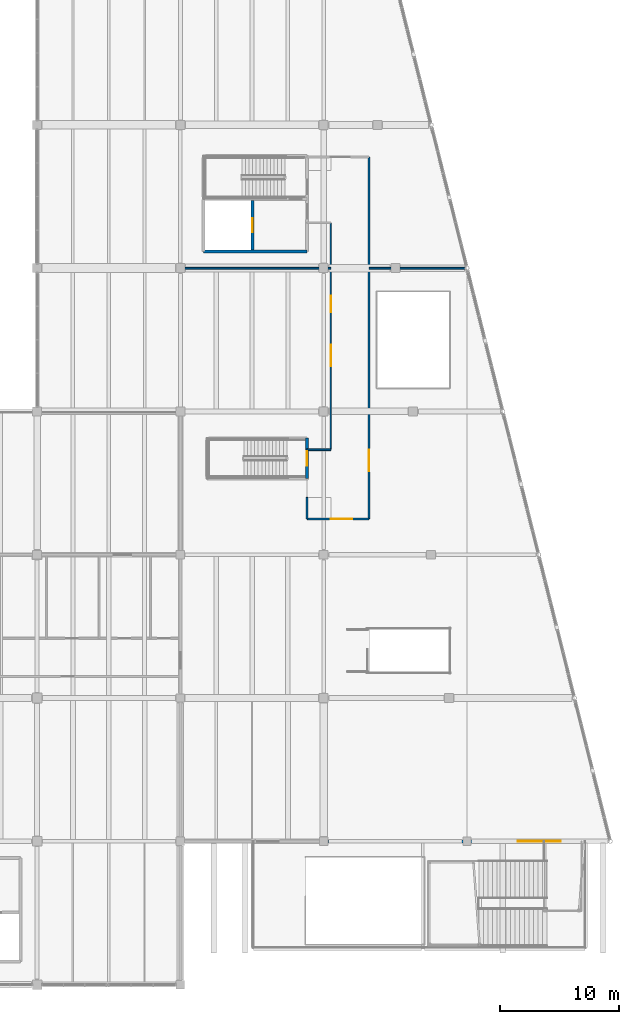
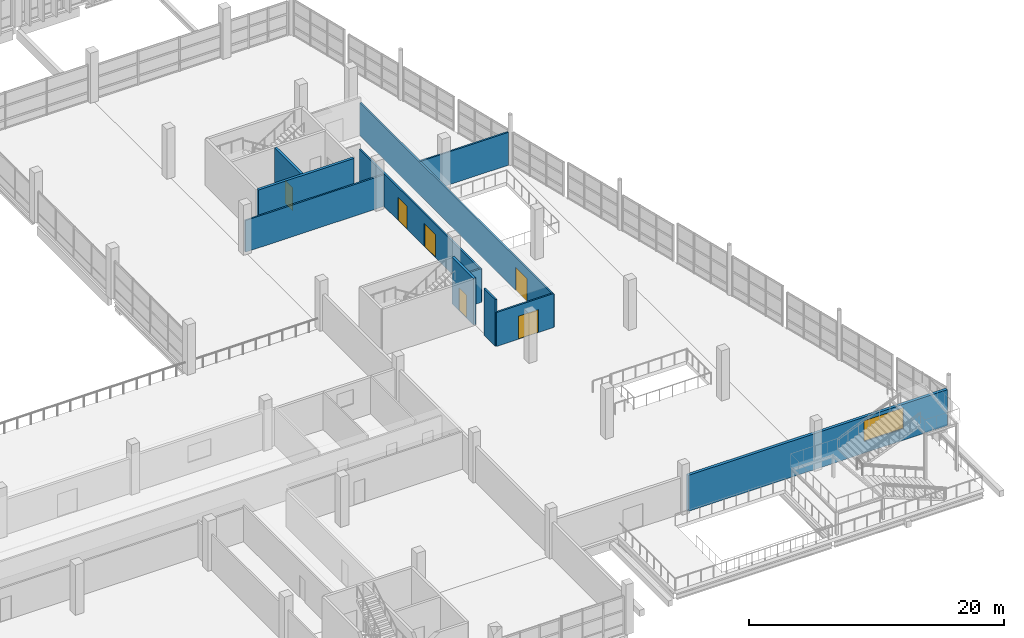
# One storey, part 85 of 112: 11 walls, 6 doors, 1 window, 7 openings.
"""IFC4 building model written with IfcOpenShell, lengths in metres."""

from ifc_helpers import new_model, si_unit, direction, frame, frame_2d, origin, place, context, subcontext, project, spatial, rectangle, extrude, material, layer, layer_set, type_object, element, fill, save


model = new_model("IFC4")

# Units and contexts
model_context = context("Model", 3, precision=1e-05, world=origin(), true_north=direction((0.0, 1.0)))
body_context = subcontext(model_context, "Body", "Model", "MODEL_VIEW")
ifc_project = project(units=[si_unit("LENGTHUNIT", "METRE"), si_unit("AREAUNIT", "SQUARE_METRE"), si_unit("VOLUMEUNIT", "CUBIC_METRE"), si_unit("PLANEANGLEUNIT", "RADIAN"), si_unit("MASSUNIT", "GRAM", prefix="KILO")], contexts=[model_context])

# Site, building, storey
site_placement = place(None, origin())
site = spatial("IfcSite", under=ifc_project, at=site_placement, CompositionType="ELEMENT")
building_placement = place(site_placement, origin())
building = spatial("IfcBuilding", under=site, at=building_placement, Name="Kamomehara Wholesale Market", CompositionType="ELEMENT")
storey_placement = place(building_placement, frame((0.0, 0.0, 6.60009765625)))
storey = spatial("IfcBuildingStorey", under=building, at=storey_placement, Name="L01", CompositionType="ELEMENT", Elevation=6.60009765625)

# Wall, opening, window
ifc_material_1 = material(Name="Precast concrete Fc45 (C40/50)", Category="concrete")
ifc_layer_1 = layer(ifc_material_1, 0.260009765625)
ifc_layer_set_1 = layer_set([ifc_layer_1], Name="Precast concrete Fc45 (C40/50)")
wall_type_1 = type_object("IfcWallType", Name="EW-PC-260", PredefinedType="SOLIDWALL", material=ifc_layer_set_1)
wall_1_placement = place(storey_placement, frame((203.822021484375, 24.0, 0.0), z_axis=(0.0, 0.0, 1.0), x_axis=(-1.0, 0.0, 0.0)))
wall_1 = element("IfcWall", 1, at=wall_1_placement, inside=storey, type_object=wall_type_1, Name="Exterior wall EW-PC-260 131", PredefinedType="SOLIDWALL", context=body_context, shape_type="SweptSolid", body=[
    extrude(rectangle(XDim=23.471923828125, YDim=0.260009765625, at=frame_2d((11.73583984375, 0.0))), origin(), (0.0, 0.0, 1.0), 3.44287109375),
])
opening_1_placement = place(wall_1_placement, frame((3.971923828125, 0.0, 1.10009765625)))
opening_1 = element("IfcOpeningElement", 2, at=opening_1_placement, cuts=wall_1, Name="Opening WN-L01-041", PredefinedType="OPENING", context=body_context, shape_type="SweptSolid", body=[
    extrude(rectangle(XDim=3.60009765625, YDim=2.0, at=frame_2d((1.800048828125, 1.0))), frame((0.0, 0.14501953125, 0.0), z_axis=(0.0, -1.0, 0.0), x_axis=(1.0, 0.0, 0.0)), (0.0, 0.0, 1.0), 0.289794921875),
])
ifc_material_2 = material(Name="Solar-control Low-E double glazing", Category="glass")
window_type = type_object("IfcWindowType", Name="WIN-3600x2000", PartitioningType="SINGLE_PANEL", PredefinedType="WINDOW", material=ifc_material_2)
window_placement = place(opening_1_placement, origin())
window = element("IfcWindow", 3, at=window_placement, inside=storey, type_object=window_type, Name="Exterior window WN-L01-041", OverallHeight=2.0, OverallWidth=3.60009765625, PartitioningType="SINGLE_PANEL", PredefinedType="WINDOW", context=body_context, shape_type="SweptSolid", body=[
    extrude(rectangle(XDim=3.60009765625, YDim=2.0, at=frame_2d((1.800048828125, 1.0))), frame((0.0, 0.030029296875, 0.0), z_axis=(0.0, -1.0, 0.0), x_axis=(1.0, 0.0, 0.0)), (0.0, 0.0, 1.0), 0.06005859375),
])
fill(opening_1, window)

# Wall, opening, door
ifc_material_3 = material(Name="Gypsum board partition")
ifc_layer_2 = layer(ifc_material_3, 0.14990234375)
ifc_layer_set_2 = layer_set([ifc_layer_2], Name="Gypsum board partition")
wall_type_2 = type_object("IfcWallType", Name="IW-PRT-150", PredefinedType="PARTITIONING", material=ifc_layer_set_2)
wall_2_placement = place(storey_placement, frame((178.60009765625, 51.0, 0.0), z_axis=(0.0, 0.0, 1.0), x_axis=(1.0, 0.0, 0.0)))
wall_2 = element("IfcWall", 4, at=wall_2_placement, inside=storey, type_object=wall_type_2, Name="Interior wall IW-PRT-150 334", PredefinedType="PARTITIONING", context=body_context, shape_type="SweptSolid", body=[
    extrude(rectangle(XDim=5.199951171875, YDim=0.14990234375, at=frame_2d((2.60009765625, 0.0))), origin(), (0.0, 0.0, 1.0), 3.2529296875),
])
opening_2_placement = place(wall_2_placement, frame((2.0, 0.0, 0.0)))
opening_2 = element("IfcOpeningElement", 5, at=opening_2_placement, cuts=wall_2, Name="Opening ID-L01-210", PredefinedType="OPENING", context=body_context, shape_type="SweptSolid", body=[
    extrude(rectangle(XDim=1.800048828125, YDim=2.199951171875, at=frame_2d((0.89990234375, 1.10009765625))), frame((0.0, 0.08984375, 0.0), z_axis=(0.0, -1.0, 0.0), x_axis=(1.0, 0.0, 0.0)), (0.0, 0.0, 1.0), 0.1796875),
])
ifc_material_4 = material(Name="Steel SN400B", Category="steel")
door_type_1 = type_object("IfcDoorType", Name="IDR-FD-1800x2200", OperationType="NOTDEFINED", PredefinedType="DOOR", material=ifc_material_4)
door_1_placement = place(opening_2_placement, origin())
door_1 = element("IfcDoor", 6, at=door_1_placement, inside=storey, type_object=door_type_1, Name="Interior door ID-L01-210", OperationType="SINGLE_SWING_RIGHT", OverallHeight=2.199951171875, OverallWidth=1.800048828125, PredefinedType="DOOR", context=body_context, shape_type="SweptSolid", body=[
    extrude(rectangle(XDim=1.800048828125, YDim=2.199951171875, at=frame_2d((0.89990234375, 1.10009765625))), frame((0.0, 0.02490234375, 0.0), z_axis=(0.0, -1.0, 0.0), x_axis=(1.0, 0.0, 0.0)), (0.0, 0.0, 1.0), 0.050048828125),
])
fill(opening_2, door_1)

# Walls
wall_3_placement = place(storey_placement, frame((178.60009765625, 51.0, 0.0), z_axis=(0.0, 0.0, 1.0), x_axis=(0.0, 1.0, 0.0)))
element("IfcWall", 7, at=wall_3_placement, inside=storey, type_object=wall_type_2, Name="Interior wall IW-PRT-150 335", PredefinedType="PARTITIONING", context=body_context, shape_type="SweptSolid", body=[
    extrude(rectangle(XDim=1.800048828125, YDim=0.14990234375, at=frame_2d((0.89990234375, 0.0))), origin(), (0.0, 0.0, 1.0), 4.4599609375),
])
wall_4_placement = place(storey_placement, frame((178.60009765625, 56.800048828125, 0.0), z_axis=(0.0, 0.0, 1.0), x_axis=(1.0, 0.0, 0.0)))
element("IfcWall", 8, at=wall_4_placement, inside=storey, type_object=wall_type_2, Name="Interior wall IW-PRT-150 336", PredefinedType="PARTITIONING", context=body_context, shape_type="SweptSolid", body=[
    extrude(rectangle(XDim=2.0, YDim=0.14990234375, at=frame_2d((1.0, 0.0))), origin(), (0.0, 0.0, 1.0), 3.2529296875),
])

# Wall, openings, doors
wall_5_placement = place(storey_placement, frame((180.60009765625, 56.800048828125, 0.0), z_axis=(0.0, 0.0, 1.0), x_axis=(0.0, 1.0, 0.0)))
wall_5 = element("IfcWall", 9, at=wall_5_placement, inside=storey, type_object=wall_type_2, Name="Interior wall IW-PRT-150 337", PredefinedType="PARTITIONING", context=body_context, shape_type="SweptSolid", body=[
    extrude(rectangle(XDim=19.0, YDim=0.14990234375, at=frame_2d((9.5, 0.0))), origin(), (0.0, 0.0, 1.0), 3.15283203125),
])
opening_3_placement = place(wall_5_placement, frame((7.0, 0.0, 0.0)))
opening_3 = element("IfcOpeningElement", 10, at=opening_3_placement, cuts=wall_5, Name="Opening ID-L01-211", PredefinedType="OPENING", context=body_context, shape_type="SweptSolid", body=[
    extrude(rectangle(XDim=1.800048828125, YDim=2.199951171875, at=frame_2d((0.89990234375, 1.10009765625))), frame((0.0, 0.08984375, 0.0), z_axis=(0.0, -1.0, 0.0), x_axis=(1.0, 0.0, 0.0)), (0.0, 0.0, 1.0), 0.1796875),
])
opening_4_placement = place(wall_5_placement, frame((11.5, 0.0, 0.0)))
opening_4 = element("IfcOpeningElement", 11, at=opening_4_placement, cuts=wall_5, Name="Opening ID-L01-212", PredefinedType="OPENING", context=body_context, shape_type="SweptSolid", body=[
    extrude(rectangle(XDim=1.39990234375, YDim=2.199951171875, at=frame_2d((0.699951171875, 1.10009765625))), frame((0.0, 0.08984375, 0.0), z_axis=(0.0, -1.0, 0.0), x_axis=(1.0, 0.0, 0.0)), (0.0, 0.0, 1.0), 0.1796875),
])
ifc_material_5 = material(Name="Steel SN400B", Category="steel")
door_type_2 = type_object("IfcDoorType", Name="IDR-FD-1400x2200", OperationType="NOTDEFINED", PredefinedType="DOOR", material=ifc_material_5)
door_2_placement = place(opening_4_placement, origin())
door_2 = element("IfcDoor", 12, at=door_2_placement, inside=storey, type_object=door_type_2, Name="Interior door ID-L01-212", OperationType="SINGLE_SWING_RIGHT", OverallHeight=2.199951171875, OverallWidth=1.39990234375, PredefinedType="DOOR", context=body_context, shape_type="SweptSolid", body=[
    extrude(rectangle(XDim=1.39990234375, YDim=2.199951171875, at=frame_2d((0.699951171875, 1.10009765625))), frame((0.0, 0.02490234375, 0.0), z_axis=(0.0, -1.0, 0.0), x_axis=(1.0, 0.0, 0.0)), (0.0, 0.0, 1.0), 0.050048828125),
])
fill(opening_4, door_2)
door_3_placement = place(opening_3_placement, origin())
door_3 = element("IfcDoor", 13, at=door_3_placement, inside=storey, type_object=door_type_1, Name="Interior door ID-L01-211", OperationType="SINGLE_SWING_LEFT", OverallHeight=2.199951171875, OverallWidth=1.800048828125, PredefinedType="DOOR", context=body_context, shape_type="SweptSolid", body=[
    extrude(rectangle(XDim=1.800048828125, YDim=2.199951171875, at=frame_2d((0.89990234375, 1.10009765625))), frame((0.0, 0.02490234375, 0.0), z_axis=(0.0, -1.0, 0.0), x_axis=(1.0, 0.0, 0.0)), (0.0, 0.0, 1.0), 0.050048828125),
])
fill(opening_3, door_3)

# Wall, opening, door
wall_6_placement = place(storey_placement, frame((183.800048828125, 51.0, 0.0), z_axis=(0.0, 0.0, 1.0), x_axis=(0.0, 1.0, 0.0)))
wall_6 = element("IfcWall", 14, at=wall_6_placement, inside=storey, type_object=wall_type_2, Name="Interior wall IW-PRT-150 340", PredefinedType="PARTITIONING", context=body_context, shape_type="SweptSolid", body=[
    extrude(rectangle(XDim=30.300048828125, YDim=0.14990234375, at=frame_2d((15.14990234375, 0.0))), origin(), (0.0, 0.0, 1.0), 3.15283203125),
])
opening_5_placement = place(wall_6_placement, frame((4.0, 0.0, 0.0)))
opening_5 = element("IfcOpeningElement", 15, at=opening_5_placement, cuts=wall_6, Name="Opening ID-L01-214", PredefinedType="OPENING", context=body_context, shape_type="SweptSolid", body=[
    extrude(rectangle(XDim=1.800048828125, YDim=2.199951171875, at=frame_2d((0.89990234375, 1.10009765625))), frame((0.0, 0.08984375, 0.0), z_axis=(0.0, -1.0, 0.0), x_axis=(1.0, 0.0, 0.0)), (0.0, 0.0, 1.0), 0.1796875),
])
door_4_placement = place(opening_5_placement, origin())
door_4 = element("IfcDoor", 16, at=door_4_placement, inside=storey, type_object=door_type_1, Name="Interior door ID-L01-214", OperationType="SINGLE_SWING_RIGHT", OverallHeight=2.199951171875, OverallWidth=1.800048828125, PredefinedType="DOOR", context=body_context, shape_type="SweptSolid", body=[
    extrude(rectangle(XDim=1.800048828125, YDim=2.199951171875, at=frame_2d((0.89990234375, 1.10009765625))), frame((0.0, 0.02490234375, 0.0), z_axis=(0.0, -1.0, 0.0), x_axis=(1.0, 0.0, 0.0)), (0.0, 0.0, 1.0), 0.050048828125),
])
fill(opening_5, door_4)

# Walls
wall_7_placement = place(storey_placement, frame((168.0, 72.0, 0.0), z_axis=(0.0, 0.0, 1.0), x_axis=(1.0, 0.0, 0.0)))
element("IfcWall", 17, at=wall_7_placement, inside=storey, type_object=wall_type_2, Name="Interior wall IW-PRT-150 341", PredefinedType="PARTITIONING", context=body_context, shape_type="SweptSolid", body=[
    extrude(rectangle(XDim=12.60009765625, YDim=0.14990234375, at=frame_2d((6.300048828125, 0.0))), origin(), (0.0, 0.0, 1.0), 3.032958984375),
])
wall_8_placement = place(storey_placement, frame((183.800048828125, 72.0, 0.0), z_axis=(0.0, 0.0, 1.0), x_axis=(1.0, 0.0, 0.0)))
element("IfcWall", 18, at=wall_8_placement, inside=storey, type_object=wall_type_2, Name="Interior wall IW-PRT-150 342", PredefinedType="PARTITIONING", context=body_context, shape_type="SweptSolid", body=[
    extrude(rectangle(XDim=8.02001953125, YDim=0.14990234375, at=frame_2d((4.010009765625, 0.0))), origin(), (0.0, 0.0, 1.0), 3.15283203125),
])

# Wall, opening, door
ifc_material_6 = material(Name="Concrete Fc36 (C35/45)", Category="concrete")
ifc_layer_3 = layer(ifc_material_6, 0.219970703125)
ifc_layer_set_3 = layer_set([ifc_layer_3], Name="Concrete Fc36 (C35/45)")
wall_type_3 = type_object("IfcWallType", Name="IW-SHR-220", PredefinedType="SHEAR", material=ifc_layer_set_3)
wall_9_placement = place(storey_placement, frame((174.0400390625, 73.52001953125, 0.0), z_axis=(0.0, 0.0, 1.0), x_axis=(0.0, 1.0, 0.0)))
wall_9 = element("IfcWall", 19, at=wall_9_placement, inside=storey, type_object=wall_type_3, Name="Interior wall IW-SHR-220 144", PredefinedType="SHEAR", context=body_context, shape_type="SweptSolid", body=[
    extrude(rectangle(XDim=4.139892578125, YDim=0.219970703125, at=frame_2d((2.06982421875, 0.0))), origin(), (0.0, 0.0, 1.0), 4.449951171875),
])
opening_6_placement = place(wall_9_placement, frame((1.469970703125, 0.0, 0.0)))
opening_6 = element("IfcOpeningElement", 20, at=opening_6_placement, cuts=wall_9, Name="Opening LD-LP-05-L01", PredefinedType="OPENING", context=body_context, shape_type="SweptSolid", body=[
    extrude(rectangle(XDim=1.199951171875, YDim=2.199951171875, at=frame_2d((0.60009765625, 1.10009765625))), frame((0.0, 0.125, 0.0), z_axis=(0.0, -1.0, 0.0), x_axis=(1.0, 0.0, 0.0)), (0.0, 0.0, 1.0), 0.249755859375),
])
ifc_material_7 = material(Name="Steel SN400B", Category="steel")
door_type_3 = type_object("IfcDoorType", Name="LDR-PAX-1200x2200", OperationType="DOUBLE_DOOR_SLIDING", PredefinedType="DOOR", material=ifc_material_7)
door_5_placement = place(opening_6_placement, origin())
door_5 = element("IfcDoor", 21, at=door_5_placement, inside=storey, type_object=door_type_3, Name="Lift sliding landing door LD-LP-05-L01", OperationType="DOUBLE_DOOR_SLIDING", OverallHeight=2.199951171875, OverallWidth=1.199951171875, PredefinedType="DOOR", context=body_context, shape_type="SweptSolid", body=[
    extrude(rectangle(XDim=1.199951171875, YDim=2.199951171875, at=frame_2d((0.60009765625, 1.10009765625))), frame((0.0, 0.02490234375, 0.0), z_axis=(0.0, -1.0, 0.0), x_axis=(1.0, 0.0, 0.0)), (0.0, 0.0, 1.0), 0.050048828125),
])
fill(opening_6, door_5)

wall_10_placement = place(storey_placement, frame((178.60009765625, 54.3701171875, 0.0), z_axis=(0.0, 0.0, 1.0), x_axis=(0.0, 1.0, 0.0)))
wall_10 = element("IfcWall", 22, at=wall_10_placement, inside=storey, type_object=wall_type_3, Name="Interior wall IW-SHR-220 157", PredefinedType="SHEAR", context=body_context, shape_type="SweptSolid", body=[
    extrude(rectangle(XDim=3.389892578125, YDim=0.219970703125, at=frame_2d((1.69482421875, 0.0))), origin(), (0.0, 0.0, 1.0), 4.469970703125),
])
opening_7_placement = place(wall_10_placement, frame((1.090087890625, 0.0, 0.0)))
opening_7 = element("IfcOpeningElement", 23, at=opening_7_placement, cuts=wall_10, Name="Opening FD-ST-10-L01", PredefinedType="OPENING", context=body_context, shape_type="SweptSolid", body=[
    extrude(rectangle(XDim=1.199951171875, YDim=2.199951171875, at=frame_2d((0.60009765625, 1.10009765625))), frame((0.0, 0.125, 0.0), z_axis=(0.0, -1.0, 0.0), x_axis=(1.0, 0.0, 0.0)), (0.0, 0.0, 1.0), 0.249755859375),
])
ifc_material_8 = material(Name="Steel SN400B", Category="steel")
door_type_4 = type_object("IfcDoorType", Name="IDR-FD-1200x2200", OperationType="NOTDEFINED", PredefinedType="DOOR", material=ifc_material_8)
door_6_placement = place(opening_7_placement, origin())
door_6 = element("IfcDoor", 24, at=door_6_placement, inside=storey, type_object=door_type_4, Name="Stair fire door FD-ST-10-L01", OperationType="SINGLE_SWING_RIGHT", OverallHeight=2.199951171875, OverallWidth=1.199951171875, PredefinedType="DOOR", context=body_context, shape_type="SweptSolid", body=[
    extrude(rectangle(XDim=1.199951171875, YDim=2.199951171875, at=frame_2d((0.60009765625, 1.10009765625))), frame((0.0, 0.02490234375, 0.0), z_axis=(0.0, -1.0, 0.0), x_axis=(1.0, 0.0, 0.0)), (0.0, 0.0, 1.0), 0.050048828125),
])
fill(opening_7, door_6)

# Wall
ifc_material_9 = material(Name="Concrete Fc36 (C35/45)", Category="concrete")
ifc_layer_4 = layer(ifc_material_9, 0.239990234375)
ifc_layer_set_4 = layer_set([ifc_layer_4], Name="Concrete Fc36 (C35/45)")
wall_type_4 = type_object("IfcWallType", Name="IW-SHR-240", PredefinedType="SHEAR", material=ifc_layer_set_4)
wall_11_placement = place(storey_placement, frame((169.929931640625, 73.39990234375, 0.0), z_axis=(0.0, 0.0, 1.0), x_axis=(1.0, 0.0, 0.0)))
element("IfcWall", 25, at=wall_11_placement, inside=storey, type_object=wall_type_4, Name="Interior wall IW-SHR-240 141", PredefinedType="SHEAR", context=body_context, shape_type="SweptSolid", body=[
    extrude(rectangle(XDim=8.670166015625, YDim=0.239990234375, at=frame_2d((4.3349609375, 0.0))), origin(), (0.0, 0.0, 1.0), 4.449951171875),
])

save(model, "model.ifc")
